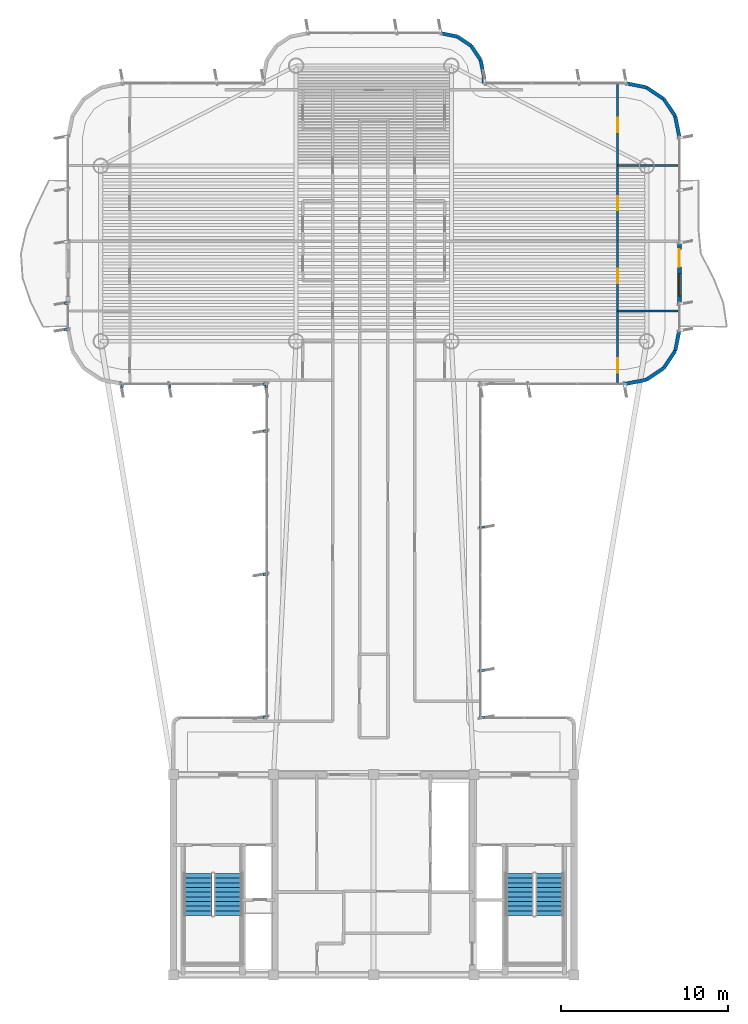
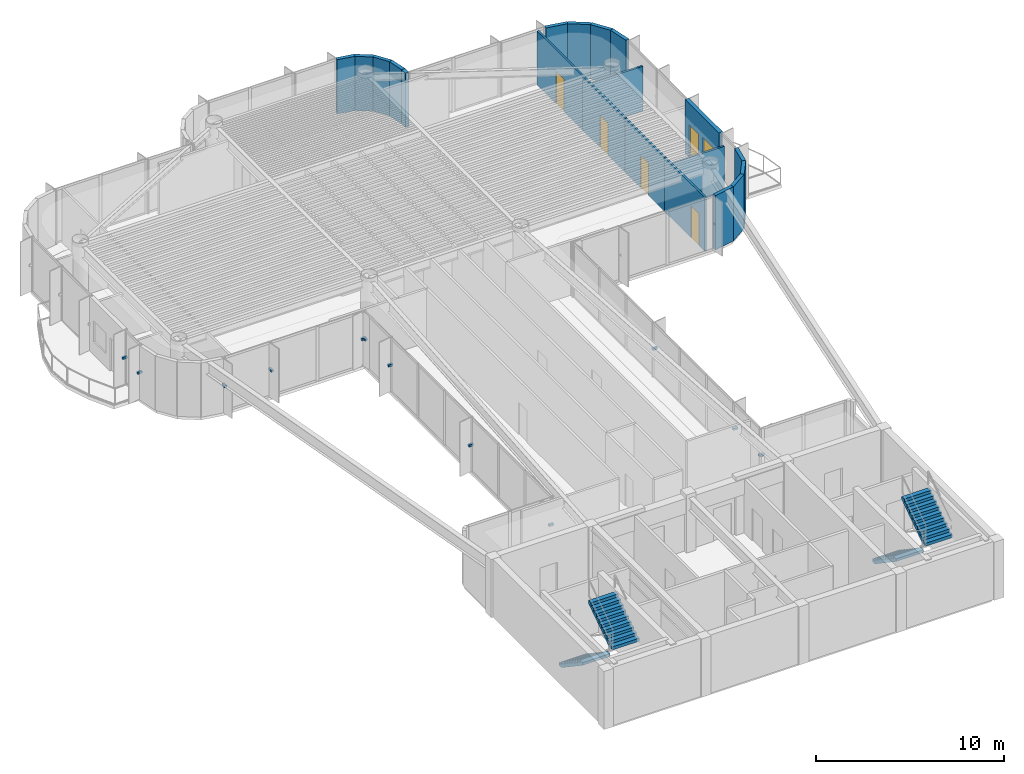
# One storey, part 13 of 16: 20 walls, 12 discrete accessories, 5 doors, 4 stair flights, 1 window, 6 openings, 2 elements without a shape of their own.
"""IFC4 building model written with IfcOpenShell, lengths in metres."""

from ifc_helpers import new_model, si_unit, direction, frame, frame_2d, origin, origin_2d, place, context, subcontext, project, spatial, polyline, rectangle, outline, extrude, source, transform, mapped, material, layer, layer_set, type_object, element, fill, aggregate, save


model = new_model("IFC4")

# Units and contexts
model_context = context("Model", 3, precision=1e-05, world=origin(), true_north=direction((0.0, 1.0)))
body_context = subcontext(model_context, "Body", "Model", "MODEL_VIEW")
ifc_project = project(units=[si_unit("LENGTHUNIT", "METRE"), si_unit("AREAUNIT", "SQUARE_METRE"), si_unit("VOLUMEUNIT", "CUBIC_METRE"), si_unit("PLANEANGLEUNIT", "RADIAN"), si_unit("MASSUNIT", "GRAM", prefix="KILO")], contexts=[model_context])

# Site, building, storey
site_placement = place(None, origin())
site = spatial("IfcSite", under=ifc_project, at=site_placement, CompositionType="ELEMENT")
building_placement = place(site_placement, origin())
building = spatial("IfcBuilding", under=site, at=building_placement, Name="Brelvock Crest Care Tower", CompositionType="ELEMENT")
storey_placement = place(building_placement, frame((0.0, 0.0, 230.580078125)))
storey = spatial("IfcBuildingStorey", under=building, at=storey_placement, Name="L58", CompositionType="ELEMENT", Elevation=230.580078125)

# Wall, openings, door, window
ifc_material_1 = material(Name="Precast concrete N40 (40 MPa)", Category="concrete")
ifc_layer_1 = layer(ifc_material_1, 0.239990234375, Name="WL-EX1")
ifc_layer_set_1 = layer_set([ifc_layer_1], Name="Precast concrete N40 (40 MPa)")
wall_type_1 = type_object("IfcWallType", Name="WL-EX1", PredefinedType="SOLIDWALL", material=ifc_layer_set_1)
wall_1_placement = place(storey_placement, frame((54.300048828125, 49.85009765625, 0.0), z_axis=(0.0, 0.0, 1.0), x_axis=(0.0, -1.0, 0.0)))
wall_1 = element("IfcWall", 1, at=wall_1_placement, inside=storey, type_object=wall_type_1, Name="L58 Exterior Spandrel Wall WL-BAL-L58-E", PredefinedType="SOLIDWALL", context=body_context, shape_type="SweptSolid", body=[
    extrude(rectangle(XDim=3.60009765625, YDim=0.239990234375, at=frame_2d((1.800048828125, 0.0))), origin(), (0.0, 0.0, 1.0), 3.530029296875),
])
opening_1_placement = place(wall_1_placement, frame((0.39990234375, 0.0, 0.0)))
opening_1 = element("IfcOpeningElement", 2, at=opening_1_placement, cuts=wall_1, Name="Opening BD-1", PredefinedType="OPENING", context=body_context, shape_type="SweptSolid", body=[
    extrude(rectangle(XDim=1.050048828125, YDim=2.14990234375, at=origin_2d()), frame((0.52490234375, 0.1298828125, 1.074951171875), z_axis=(0.0, -1.0, 0.0), x_axis=(1.0, 0.0, 0.0)), (0.0, 0.0, 1.0), 0.260009765625),
])
opening_2_placement = place(wall_1_placement, frame((1.85009765625, 0.0, 0.85009765625)))
opening_2 = element("IfcOpeningElement", 3, at=opening_2_placement, cuts=wall_1, Name="Opening W-01", PredefinedType="OPENING", context=body_context, shape_type="SweptSolid", body=[
    extrude(rectangle(XDim=1.35009765625, YDim=1.35009765625, at=origin_2d()), frame((0.675048828125, 0.1298828125, 0.675048828125), z_axis=(0.0, -1.0, 0.0), x_axis=(1.0, 0.0, 0.0)), (0.0, 0.0, 1.0), 0.260009765625),
])
ifc_material_2 = material(Name="Dark Glass Double Glazed Low-E", Category="glass")
door_type_1 = type_object("IfcDoorType", Name="DR-BAL1", OperationType="NOTDEFINED", PredefinedType="DOOR", material=ifc_material_2)
shared_shape_1 = source(origin(), body_context, "Body", "SweptSolid", [
    extrude(rectangle(XDim=1.050048828125, YDim=2.14990234375, at=origin_2d()), frame((0.52490234375, 0.02490234375, 1.074951171875), z_axis=(0.0, -1.0, 0.0), x_axis=(1.0, 0.0, 0.0)), (0.0, 0.0, 1.0), 0.050048828125),
])
door_1_placement = place(opening_1_placement, origin())
door_1 = element("IfcDoor", 4, at=door_1_placement, inside=storey, type_object=door_type_1, Name="L58 E Wave Balcony Glazed Door", OperationType="SINGLE_SWING_RIGHT", OverallHeight=2.14990234375, OverallWidth=1.050048828125, PredefinedType="DOOR", context=body_context, shape_type="MappedRepresentation", body=[
    mapped(shared_shape_1, transform((0.0, 0.0, 0.0), x_axis=(1.0, 0.0, 0.0), y_axis=(0.0, 1.0, 0.0), z_axis=(0.0, 0.0, 1.0), scale=1.0)),
])
fill(opening_1, door_1)
window_type = type_object("IfcWindowType", Name="WN-EX1", PartitioningType="SINGLE_PANEL", PredefinedType="WINDOW", material=ifc_material_2)
shared_shape_2 = source(origin(), body_context, "Body", "SweptSolid", [
    extrude(rectangle(XDim=1.35009765625, YDim=1.35009765625, at=origin_2d()), frame((0.675048828125, 0.030029296875, 0.675048828125), z_axis=(0.0, -1.0, 0.0), x_axis=(1.0, 0.0, 0.0)), (0.0, 0.0, 1.0), 0.06005859375),
])
window_placement = place(opening_2_placement, origin())
window = element("IfcWindow", 5, at=window_placement, inside=storey, type_object=window_type, Name="L58 E Suite Casement Window", OverallHeight=1.35009765625, OverallWidth=1.35009765625, PartitioningType="SINGLE_PANEL", PredefinedType="WINDOW", context=body_context, shape_type="MappedRepresentation", body=[
    mapped(shared_shape_2, transform((0.0, 0.0, 0.0), x_axis=(1.0, 0.0, 0.0), y_axis=(0.0, 1.0, 0.0), z_axis=(0.0, 0.0, 1.0), scale=1.0)),
])
fill(opening_2, window)

# Walls
ifc_layer_2 = layer(ifc_material_1, 0.215087890625, Name="WL-EX2")
ifc_layer_set_2 = layer_set([ifc_layer_2], Name="Precast concrete N40 (40 MPa)")
wall_type_2 = type_object("IfcWallType", Name="WL-EX2", PredefinedType="SOLIDWALL", material=ifc_layer_set_2)
wall_2_placement = place(storey_placement, frame((40.0, 62.39990234375, 0.0), z_axis=(0.0, 0.0, 1.0), x_axis=(0.980820570666, -0.194912821943, 0.0)))
element("IfcWall", 6, at=wall_2_placement, inside=storey, type_object=wall_type_2, Name="L58 Rounded Corner Wall 29", PredefinedType="SOLIDWALL", context=body_context, shape_type="SweptSolid", body=[
    extrude(rectangle(XDim=1.0146484375, YDim=0.215087890625, at=frame_2d((0.50732421875, 0.0))), origin(), (0.0, 0.0, 1.0), 3.530029296875),
])
wall_3_placement = place(storey_placement, frame((40.9951171875, 62.2021484375, 0.0), z_axis=(0.0, 0.0, 1.0), x_axis=(0.831346067305, -0.555755086685, 0.0)))
element("IfcWall", 7, at=wall_3_placement, inside=storey, type_object=wall_type_2, Name="L58 Rounded Corner Wall 30", PredefinedType="SOLIDWALL", context=body_context, shape_type="SweptSolid", body=[
    extrude(rectangle(XDim=1.014404296875, YDim=0.215087890625, at=frame_2d((0.50732421875, 0.0))), origin(), (0.0, 0.0, 1.0), 3.530029296875),
])
wall_4_placement = place(storey_placement, frame((41.83837890625, 61.638427734375, 0.0), z_axis=(0.0, 0.0, 1.0), x_axis=(0.555643898837, -0.831420385657, 0.0)))
element("IfcWall", 8, at=wall_4_placement, inside=storey, type_object=wall_type_2, Name="L58 Rounded Corner Wall 31", PredefinedType="SOLIDWALL", context=body_context, shape_type="SweptSolid", body=[
    extrude(rectangle(XDim=1.0146484375, YDim=0.215087890625, at=frame_2d((0.50732421875, 0.0))), origin(), (0.0, 0.0, 1.0), 3.530029296875),
])
wall_5_placement = place(storey_placement, frame((42.402099609375, 60.794921875, 0.0), z_axis=(0.0, 0.0, 1.0), x_axis=(0.195190360752, -0.980765376158, 0.0)))
element("IfcWall", 9, at=wall_5_placement, inside=storey, type_object=wall_type_2, Name="L58 Rounded Corner Wall 32", PredefinedType="SOLIDWALL", context=body_context, shape_type="SweptSolid", body=[
    extrude(rectangle(XDim=1.014404296875, YDim=0.215087890625, at=frame_2d((0.50732421875, 0.0))), origin(), (0.0, 0.0, 1.0), 3.530029296875),
])
wall_6_placement = place(storey_placement, frame((42.60009765625, 59.800048828125, 0.0), z_axis=(0.0, 0.0, 1.0), x_axis=(0.0, -1.0, 0.0)))
element("IfcWall", 10, at=wall_6_placement, inside=storey, type_object=wall_type_2, Name="L58 Rounded Corner Wall 33", PredefinedType="SOLIDWALL", context=body_context, shape_type="SweptSolid", body=[
    extrude(rectangle(XDim=0.400146484375, YDim=0.215087890625, at=frame_2d((0.2001953125, 0.0))), origin(), (0.0, 0.0, 1.0), 3.530029296875),
])
for number, where, z_axis, x_axis, name in (
    (11, (51.10009765625, 59.39990234375, 0.0), (0.0, 0.0, 1.0), (0.980813122964, -0.194950295773, 0.0), "L58 Rounded Corner Wall 35"),
    (12, (52.32470703125, 59.156494140625, 0.0), (0.0, 0.0, 1.0), (0.831387912822, -0.555692485475, 0.0), "L58 Rounded Corner Wall 36"),
    (13, (53.36279296875, 58.462646484375, 0.0), (0.0, 0.0, 1.0), (0.555557312883, -0.831478245117, 0.0), "L58 Rounded Corner Wall 37"),
    (14, (54.056396484375, 57.424560546875, 0.0), (0.0, 0.0, 1.0), (0.195138390419, -0.980775717779, 0.0), "L58 Rounded Corner Wall 38"),
    (15, (54.300048828125, 44.60009765625, 0.0), (0.0, 0.0, 1.0), (-0.195138390419, -0.980775717779, 0.0), "L58 Rounded Corner Wall 40"),
    (16, (54.056396484375, 43.37548828125, 0.0), (0.0, 0.0, 1.0), (-0.555557312883, -0.831478245117, 0.0), "L58 Rounded Corner Wall 41"),
    (17, (53.36279296875, 42.33740234375, 0.0), (0.0, 0.0, 1.0), (-0.831387912822, -0.555692485475, 0.0), "L58 Rounded Corner Wall 42"),
    (18, (52.32470703125, 41.6435546875, 0.0), (0.0, 0.0, 1.0), (-0.980775717779, -0.195138390419, 0.0), "L58 Rounded Corner Wall 43"),
):
    element("IfcWall", number, at=place(storey_placement, frame(where, z_axis=z_axis, x_axis=x_axis)), inside=storey, type_object=wall_type_2, Name=name, PredefinedType="SOLIDWALL", context=body_context, shape_type="SweptSolid", body=[
        extrude(rectangle(XDim=1.24853515625, YDim=0.215087890625, at=frame_2d((0.624267578125, 0.0))), origin(), (0.0, 0.0, 1.0), 3.530029296875),
    ])
ifc_material_3 = material(Name="Gypsum Plasterboard Partition", Category="gypsum")
ifc_layer_3 = layer(ifc_material_3, 0.1201171875, Name="WL-INT2")
ifc_layer_set_3 = layer_set([ifc_layer_3], Name="Gypsum Plasterboard Partition")
wall_type_3 = type_object("IfcWallType", Name="WL-INT2", PredefinedType="PARTITIONING", material=ifc_layer_set_3)
wall_7_placement = place(storey_placement, frame((50.610107421875, 45.77587890625, 0.0), z_axis=(0.0, 0.0, 1.0), x_axis=(1.0, 0.0, 0.0)))
element("IfcWall", 19, at=wall_7_placement, inside=storey, type_object=wall_type_3, Name="L58 Interior Wall WL-UBSP-L58-EF1", PredefinedType="PARTITIONING", context=body_context, shape_type="SweptSolid", body=[
    extrude(rectangle(XDim=3.60986328125, YDim=0.1201171875, at=frame_2d((1.804931640625, 0.0))), origin(), (0.0, 0.0, 1.0), 2.98193359375),
])
wall_8_placement = place(storey_placement, frame((50.610107421875, 54.47607421875, 0.0), z_axis=(0.0, 0.0, 1.0), x_axis=(1.0, 0.0, 0.0)))
element("IfcWall", 20, at=wall_8_placement, inside=storey, type_object=wall_type_3, Name="L58 Interior Wall WL-UBSP-L58-EF2", PredefinedType="PARTITIONING", context=body_context, shape_type="SweptSolid", body=[
    extrude(rectangle(XDim=3.60986328125, YDim=0.1201171875, at=frame_2d((1.804931640625, 0.0))), origin(), (0.0, 0.0, 1.0), 2.90283203125),
])

# Wall, opening, door
wall_9_placement = place(storey_placement, frame((50.610107421875, 41.47998046875, 0.0), z_axis=(0.0, 0.0, 1.0), x_axis=(0.0, 1.0, 0.0)))
wall_9 = element("IfcWall", 21, at=wall_9_placement, inside=storey, type_object=wall_type_3, Name="L58 Interior Wall WL-UBD1-L58-EF1", PredefinedType="PARTITIONING", context=body_context, shape_type="SweptSolid", body=[
    extrude(rectangle(XDim=4.2958984375, YDim=0.1201171875, at=frame_2d((2.14794921875, 0.0))), origin(), (0.0, 0.0, 1.0), 3.5),
])
opening_3_placement = place(wall_9_placement, frame((0.597900390625, 0.0, 0.0)))
opening_3 = element("IfcOpeningElement", 22, at=opening_3_placement, cuts=wall_9, Name="Opening ID-1", PredefinedType="OPENING", context=body_context, shape_type="SweptSolid", body=[
    extrude(rectangle(XDim=0.860107421875, YDim=2.10009765625, at=origin_2d()), frame((0.43017578125, 0.070068359375, 1.050048828125), z_axis=(0.0, -1.0, 0.0), x_axis=(1.0, 0.0, 0.0)), (0.0, 0.0, 1.0), 0.14013671875),
])
ifc_material_4 = material(Name="Engineered Hardwood Timber", Category="wood")
door_type_2 = type_object("IfcDoorType", Name="DR-INT1", OperationType="NOTDEFINED", PredefinedType="DOOR", material=ifc_material_4)
shared_shape_3 = source(origin(), body_context, "Body", "SweptSolid", [
    extrude(rectangle(XDim=0.860107421875, YDim=2.10009765625, at=origin_2d()), frame((0.43017578125, 0.02490234375, 1.050048828125), z_axis=(0.0, -1.0, 0.0), x_axis=(1.0, 0.0, 0.0)), (0.0, 0.0, 1.0), 0.050048828125),
])
door_2_placement = place(opening_3_placement, origin())
door_2 = element("IfcDoor", 23, at=door_2_placement, inside=storey, type_object=door_type_2, Name="L58 Primary Bedroom Door EF1", OperationType="SINGLE_SWING_RIGHT", OverallHeight=2.10009765625, OverallWidth=0.860107421875, PredefinedType="DOOR", context=body_context, shape_type="MappedRepresentation", body=[
    mapped(shared_shape_3, transform((0.0, 0.0, 0.0), x_axis=(1.0, 0.0, 0.0), y_axis=(0.0, 1.0, 0.0), z_axis=(0.0, 0.0, 1.0), scale=1.0)),
])
fill(opening_3, door_2)

wall_10_placement = place(storey_placement, frame((50.610107421875, 45.77587890625, 0.0), z_axis=(0.0, 0.0, 1.0), x_axis=(0.0, 1.0, 0.0)))
wall_10 = element("IfcWall", 24, at=wall_10_placement, inside=storey, type_object=wall_type_3, Name="L58 Interior Wall WL-UBD2-L58-EF1", PredefinedType="PARTITIONING", context=body_context, shape_type="SweptSolid", body=[
    extrude(rectangle(XDim=4.176025390625, YDim=0.1201171875, at=frame_2d((2.087890625, 0.0))), origin(), (0.0, 0.0, 1.0), 3.5),
])
opening_4_placement = place(wall_10_placement, frame((1.657958984375, 0.0, 0.0)))
opening_4 = element("IfcOpeningElement", 25, at=opening_4_placement, cuts=wall_10, Name="Opening ID-1", PredefinedType="OPENING", context=body_context, shape_type="SweptSolid", body=[
    extrude(rectangle(XDim=0.860107421875, YDim=2.10009765625, at=origin_2d()), frame((0.43017578125, 0.070068359375, 1.050048828125), z_axis=(0.0, -1.0, 0.0), x_axis=(1.0, 0.0, 0.0)), (0.0, 0.0, 1.0), 0.14013671875),
])
door_3_placement = place(opening_4_placement, origin())
door_3 = element("IfcDoor", 26, at=door_3_placement, inside=storey, type_object=door_type_2, Name="L58 Second Room Door EF1", OperationType="SINGLE_SWING_LEFT", OverallHeight=2.10009765625, OverallWidth=0.860107421875, PredefinedType="DOOR", context=body_context, shape_type="MappedRepresentation", body=[
    mapped(shared_shape_3, transform((0.0, 0.0, 0.0), x_axis=(1.0, 0.0, 0.0), y_axis=(0.0, 1.0, 0.0), z_axis=(0.0, 0.0, 1.0), scale=1.0)),
])
fill(opening_4, door_3)

wall_11_placement = place(storey_placement, frame((50.610107421875, 49.951904296875, 0.0), z_axis=(0.0, 0.0, 1.0), x_axis=(0.0, 1.0, 0.0)))
wall_11 = element("IfcWall", 27, at=wall_11_placement, inside=storey, type_object=wall_type_3, Name="L58 Interior Wall WL-UBD1-L58-EF2", PredefinedType="PARTITIONING", context=body_context, shape_type="SweptSolid", body=[
    extrude(rectangle(XDim=4.524169921875, YDim=0.1201171875, at=frame_2d((2.26220703125, 0.0))), origin(), (0.0, 0.0, 1.0), 3.5),
])
opening_5_placement = place(wall_11_placement, frame((1.83203125, 0.0, 0.0)))
opening_5 = element("IfcOpeningElement", 28, at=opening_5_placement, cuts=wall_11, Name="Opening ID-1", PredefinedType="OPENING", context=body_context, shape_type="SweptSolid", body=[
    extrude(rectangle(XDim=0.860107421875, YDim=2.10009765625, at=origin_2d()), frame((0.43017578125, 0.070068359375, 1.050048828125), z_axis=(0.0, -1.0, 0.0), x_axis=(1.0, 0.0, 0.0)), (0.0, 0.0, 1.0), 0.14013671875),
])
door_4_placement = place(opening_5_placement, origin())
door_4 = element("IfcDoor", 29, at=door_4_placement, inside=storey, type_object=door_type_2, Name="L58 Primary Bedroom Door EF2", OperationType="SINGLE_SWING_RIGHT", OverallHeight=2.10009765625, OverallWidth=0.860107421875, PredefinedType="DOOR", context=body_context, shape_type="MappedRepresentation", body=[
    mapped(shared_shape_3, transform((0.0, 0.0, 0.0), x_axis=(1.0, 0.0, 0.0), y_axis=(0.0, 1.0, 0.0), z_axis=(0.0, 0.0, 1.0), scale=1.0)),
])
fill(opening_5, door_4)

wall_12_placement = place(storey_placement, frame((50.610107421875, 54.47607421875, 0.0), z_axis=(0.0, 0.0, 1.0), x_axis=(0.0, 1.0, 0.0)))
wall_12 = element("IfcWall", 30, at=wall_12_placement, inside=storey, type_object=wall_type_3, Name="L58 Interior Wall WL-UBD2-L58-EF2", PredefinedType="PARTITIONING", context=body_context, shape_type="SweptSolid", body=[
    extrude(rectangle(XDim=4.84423828125, YDim=0.1201171875, at=frame_2d((2.422119140625, 0.0))), origin(), (0.0, 0.0, 1.0), 3.5),
])
opening_6_placement = place(wall_12_placement, frame((1.991943359375, 0.0, 0.0)))
opening_6 = element("IfcOpeningElement", 31, at=opening_6_placement, cuts=wall_12, Name="Opening ID-1", PredefinedType="OPENING", context=body_context, shape_type="SweptSolid", body=[
    extrude(rectangle(XDim=0.860107421875, YDim=2.10009765625, at=origin_2d()), frame((0.43017578125, 0.070068359375, 1.050048828125), z_axis=(0.0, -1.0, 0.0), x_axis=(1.0, 0.0, 0.0)), (0.0, 0.0, 1.0), 0.14013671875),
])
door_5_placement = place(opening_6_placement, origin())
door_5 = element("IfcDoor", 32, at=door_5_placement, inside=storey, type_object=door_type_2, Name="L58 Second Room Door EF2", OperationType="SINGLE_SWING_LEFT", OverallHeight=2.10009765625, OverallWidth=0.860107421875, PredefinedType="DOOR", context=body_context, shape_type="MappedRepresentation", body=[
    mapped(shared_shape_3, transform((0.0, 0.0, 0.0), x_axis=(1.0, 0.0, 0.0), y_axis=(0.0, 1.0, 0.0), z_axis=(0.0, 0.0, 1.0), scale=1.0)),
])
fill(opening_6, door_5)

# Stair, stair flights
ifc_material_5 = material(Name="Concrete N40 (40 MPa)", Category="concrete")
stair_type = type_object("IfcStairType", Name="ST-CORE1", PredefinedType="HALF_TURN_STAIR", material=ifc_material_5)
stair_1_placement = place(storey_placement, origin())
stair_1 = element("IfcStair", 33, at=stair_1_placement, inside=storey, type_object=stair_type, Name="L58 Fire-Isolated Core Stair ST-1", PredefinedType="HALF_TURN_STAIR")
stair_flight_type = type_object("IfcStairFlightType", Name="STF-1", PredefinedType="STRAIGHT", material=ifc_material_5)
stair_flight_1_placement = place(storey_placement, frame((25.469970703125, 12.080078125, 0.0), z_axis=(0.0, 0.0, 1.0), x_axis=(0.0, -1.0, 0.0)))
stair_flight_1 = element("IfcStairFlight", 34, at=stair_flight_1_placement, type_object=stair_flight_type, Name="ST-1 flight 1", NumberOfRisers=10, NumberOfTreads=9, PredefinedType="STRAIGHT", RiserHeight=0.189, TreadLength=0.28, context=body_context, shape_type="SweptSolid", body=[
    extrude(outline(polyline([(-0.00390625, -0.014892578125), (-0.00390625, -0.0078125), (-0.00390625, -0.00048828125), (-0.00390625, 0.0068359375), (-0.00390625, 0.01416015625), (-0.00390625, 0.021484375), (-0.00390625, 0.02880859375), (-0.00390625, 0.035888671875), (-0.00390625, 0.043212890625), (-0.00390625, 0.050537109375), (-0.00390625, 0.057861328125), (-0.00390625, 0.065185546875), (-0.00390625, 0.072509765625), (-0.00390625, 0.07958984375), (-0.00390625, 0.0869140625), (-0.00390625, 0.09423828125), (-0.00390625, 0.1015625), (-0.00390625, 0.10888671875), (-0.00390625, 0.1162109375), (-0.00390625, 0.12353515625), (-0.00390625, 0.130615234375), (-0.00390625, 0.137939453125), (-0.00390625, 0.145263671875), (-0.00390625, 0.152587890625), (-0.00390625, 0.159912109375), (-0.00390625, 0.167236328125), (-0.00390625, 0.17431640625), (-0.00390625, 0.181640625), (-0.00390625, 0.18896484375), (0.0, 0.18896484375), (0.280029296875, 0.18896484375), (0.280029296875, 0.3779296875), (0.56005859375, 0.3779296875), (0.56005859375, 0.56689453125), (0.840087890625, 0.56689453125), (0.840087890625, 0.756103515625), (1.1201171875, 0.756103515625), (1.1201171875, 0.945068359375), (1.39990234375, 0.945068359375), (1.39990234375, 1.134033203125), (1.679931640625, 1.134033203125), (1.679931640625, 1.322998046875), (1.9599609375, 1.322998046875), (1.9599609375, 1.511962890625), (2.239990234375, 1.511962890625), (2.239990234375, 1.700927734375), (2.52001953125, 1.700927734375), (2.52392578125, 1.700927734375), (2.523681640625, 1.70068359375), (2.52392578125, 1.700439453125), (2.523681640625, 1.699951171875), (2.52392578125, 1.69970703125), (2.523681640625, 1.699462890625), (2.52392578125, 1.698974609375), (2.523681640625, 1.69873046875), (2.52392578125, 1.698486328125), (2.523681640625, 1.697998046875), (2.52392578125, 1.69775390625), (2.523681640625, 1.697509765625), (2.52392578125, 1.697021484375), (2.523681640625, 1.69677734375), (2.52392578125, 1.696533203125), (2.523681640625, 1.6962890625), (2.52392578125, 1.69580078125), (2.523681640625, 1.695556640625), (2.52392578125, 1.6953125), (2.523681640625, 1.69482421875), (2.52392578125, 1.694580078125), (2.523681640625, 1.6943359375), (2.52392578125, 1.69384765625), (2.523681640625, 1.693603515625), (2.52392578125, 1.693359375), (2.523681640625, 1.69287109375), (2.52392578125, 1.692626953125), (2.523681640625, 1.6923828125), (2.52392578125, 1.69189453125), (2.52001953125, 1.520263671875), (0.267822265625, 0.0), (0.0, 0.0), (0.0, -0.014892578125), (-0.00390625, -0.014892578125)])), frame((0.0, 0.83984375, 0.0), z_axis=(0.0, -1.0, 0.0), x_axis=(1.0, 0.0, 0.0)), (0.0, 0.0, 1.0), 1.679931640625),
])
stair_flight_2_placement = place(storey_placement, frame((27.27001953125, 9.56005859375, 1.889892578125), z_axis=(0.0, 0.0, 1.0), x_axis=(0.0, 1.0, 0.0)))
stair_flight_2 = element("IfcStairFlight", 35, at=stair_flight_2_placement, type_object=stair_flight_type, Name="ST-1 flight 2", NumberOfRisers=10, NumberOfTreads=9, PredefinedType="STRAIGHT", RiserHeight=0.189, TreadLength=0.28, context=body_context, shape_type="SweptSolid", body=[
    extrude(outline(polyline([(-0.00390625, -0.014892578125), (-0.00390625, -0.0078125), (-0.00390625, -0.00048828125), (-0.00390625, 0.0068359375), (-0.00390625, 0.01416015625), (-0.00390625, 0.021484375), (-0.00390625, 0.02880859375), (-0.00390625, 0.035888671875), (-0.00390625, 0.043212890625), (-0.00390625, 0.050537109375), (-0.00390625, 0.057861328125), (-0.00390625, 0.065185546875), (-0.00390625, 0.072509765625), (-0.00390625, 0.07958984375), (-0.00390625, 0.0869140625), (-0.00390625, 0.09423828125), (-0.00390625, 0.1015625), (-0.00390625, 0.10888671875), (-0.00390625, 0.1162109375), (-0.00390625, 0.12353515625), (-0.00390625, 0.130615234375), (-0.00390625, 0.137939453125), (-0.00390625, 0.145263671875), (-0.00390625, 0.152587890625), (-0.00390625, 0.159912109375), (-0.00390625, 0.167236328125), (-0.00390625, 0.17431640625), (-0.00390625, 0.181640625), (-0.00390625, 0.18896484375), (0.0, 0.18896484375), (0.280029296875, 0.18896484375), (0.280029296875, 0.3779296875), (0.56005859375, 0.3779296875), (0.56005859375, 0.56689453125), (0.840087890625, 0.56689453125), (0.840087890625, 0.756103515625), (1.1201171875, 0.756103515625), (1.1201171875, 0.945068359375), (1.39990234375, 0.945068359375), (1.39990234375, 1.134033203125), (1.679931640625, 1.134033203125), (1.679931640625, 1.322998046875), (1.9599609375, 1.322998046875), (1.9599609375, 1.511962890625), (2.239990234375, 1.511962890625), (2.239990234375, 1.700927734375), (2.52001953125, 1.700927734375), (2.52392578125, 1.700927734375), (2.523681640625, 1.70068359375), (2.52392578125, 1.700439453125), (2.523681640625, 1.699951171875), (2.52392578125, 1.69970703125), (2.523681640625, 1.699462890625), (2.52392578125, 1.698974609375), (2.523681640625, 1.69873046875), (2.52392578125, 1.698486328125), (2.523681640625, 1.697998046875), (2.52392578125, 1.69775390625), (2.523681640625, 1.697509765625), (2.52392578125, 1.697021484375), (2.523681640625, 1.69677734375), (2.52392578125, 1.696533203125), (2.523681640625, 1.6962890625), (2.52392578125, 1.69580078125), (2.523681640625, 1.695556640625), (2.52392578125, 1.6953125), (2.523681640625, 1.69482421875), (2.52392578125, 1.694580078125), (2.523681640625, 1.6943359375), (2.52392578125, 1.69384765625), (2.523681640625, 1.693603515625), (2.52392578125, 1.693359375), (2.523681640625, 1.69287109375), (2.52392578125, 1.692626953125), (2.523681640625, 1.6923828125), (2.52392578125, 1.69189453125), (2.52001953125, 1.520263671875), (0.267822265625, 0.0), (0.0, 0.0), (0.0, -0.014892578125), (-0.00390625, -0.014892578125)])), frame((0.0, 0.83984375, 0.0), z_axis=(0.0, -1.0, 0.0), x_axis=(1.0, 0.0, 0.0)), (0.0, 0.0, 1.0), 1.679931640625),
])
aggregate(stair_1, [stair_flight_1, stair_flight_2])

stair_2_placement = place(storey_placement, origin())
stair_2 = element("IfcStair", 36, at=stair_2_placement, inside=storey, type_object=stair_type, Name="L58 Fire-Isolated Core Stair ST-2", PredefinedType="HALF_TURN_STAIR")
stair_flight_3_placement = place(storey_placement, frame((44.72998046875, 12.080078125, 0.0), z_axis=(0.0, 0.0, 1.0), x_axis=(0.0, -1.0, 0.0)))
stair_flight_3 = element("IfcStairFlight", 37, at=stair_flight_3_placement, type_object=stair_flight_type, Name="ST-2 flight 1", NumberOfRisers=10, NumberOfTreads=9, PredefinedType="STRAIGHT", RiserHeight=0.189, TreadLength=0.28, context=body_context, shape_type="SweptSolid", body=[
    extrude(outline(polyline([(-0.00390625, -0.014892578125), (-0.00390625, -0.0078125), (-0.00390625, -0.00048828125), (-0.00390625, 0.0068359375), (-0.00390625, 0.01416015625), (-0.00390625, 0.021484375), (-0.00390625, 0.02880859375), (-0.00390625, 0.035888671875), (-0.00390625, 0.043212890625), (-0.00390625, 0.050537109375), (-0.00390625, 0.057861328125), (-0.00390625, 0.065185546875), (-0.00390625, 0.072509765625), (-0.00390625, 0.07958984375), (-0.00390625, 0.0869140625), (-0.00390625, 0.09423828125), (-0.00390625, 0.1015625), (-0.00390625, 0.10888671875), (-0.00390625, 0.1162109375), (-0.00390625, 0.12353515625), (-0.00390625, 0.130615234375), (-0.00390625, 0.137939453125), (-0.00390625, 0.145263671875), (-0.00390625, 0.152587890625), (-0.00390625, 0.159912109375), (-0.00390625, 0.167236328125), (-0.00390625, 0.17431640625), (-0.00390625, 0.181640625), (-0.00390625, 0.18896484375), (0.0, 0.18896484375), (0.280029296875, 0.18896484375), (0.280029296875, 0.3779296875), (0.56005859375, 0.3779296875), (0.56005859375, 0.56689453125), (0.840087890625, 0.56689453125), (0.840087890625, 0.756103515625), (1.1201171875, 0.756103515625), (1.1201171875, 0.945068359375), (1.39990234375, 0.945068359375), (1.39990234375, 1.134033203125), (1.679931640625, 1.134033203125), (1.679931640625, 1.322998046875), (1.9599609375, 1.322998046875), (1.9599609375, 1.511962890625), (2.239990234375, 1.511962890625), (2.239990234375, 1.700927734375), (2.52001953125, 1.700927734375), (2.52392578125, 1.700927734375), (2.523681640625, 1.70068359375), (2.52392578125, 1.700439453125), (2.523681640625, 1.699951171875), (2.52392578125, 1.69970703125), (2.523681640625, 1.699462890625), (2.52392578125, 1.698974609375), (2.523681640625, 1.69873046875), (2.52392578125, 1.698486328125), (2.523681640625, 1.697998046875), (2.52392578125, 1.69775390625), (2.523681640625, 1.697509765625), (2.52392578125, 1.697021484375), (2.523681640625, 1.69677734375), (2.52392578125, 1.696533203125), (2.523681640625, 1.6962890625), (2.52392578125, 1.69580078125), (2.523681640625, 1.695556640625), (2.52392578125, 1.6953125), (2.523681640625, 1.69482421875), (2.52392578125, 1.694580078125), (2.523681640625, 1.6943359375), (2.52392578125, 1.69384765625), (2.523681640625, 1.693603515625), (2.52392578125, 1.693359375), (2.523681640625, 1.69287109375), (2.52392578125, 1.692626953125), (2.523681640625, 1.6923828125), (2.52392578125, 1.69189453125), (2.52001953125, 1.520263671875), (0.267822265625, 0.0), (0.0, 0.0), (0.0, -0.014892578125), (-0.00390625, -0.014892578125)])), frame((0.0, 0.83984375, 0.0), z_axis=(0.0, -1.0, 0.0), x_axis=(1.0, 0.0, 0.0)), (0.0, 0.0, 1.0), 1.679931640625),
])
stair_flight_4_placement = place(storey_placement, frame((46.530029296875, 9.56005859375, 1.889892578125), z_axis=(0.0, 0.0, 1.0), x_axis=(0.0, 1.0, 0.0)))
stair_flight_4 = element("IfcStairFlight", 38, at=stair_flight_4_placement, type_object=stair_flight_type, Name="ST-2 flight 2", NumberOfRisers=10, NumberOfTreads=9, PredefinedType="STRAIGHT", RiserHeight=0.189, TreadLength=0.28, context=body_context, shape_type="SweptSolid", body=[
    extrude(outline(polyline([(-0.00390625, -0.014892578125), (-0.00390625, -0.0078125), (-0.00390625, -0.00048828125), (-0.00390625, 0.0068359375), (-0.00390625, 0.01416015625), (-0.00390625, 0.021484375), (-0.00390625, 0.02880859375), (-0.00390625, 0.035888671875), (-0.00390625, 0.043212890625), (-0.00390625, 0.050537109375), (-0.00390625, 0.057861328125), (-0.00390625, 0.065185546875), (-0.00390625, 0.072509765625), (-0.00390625, 0.07958984375), (-0.00390625, 0.0869140625), (-0.00390625, 0.09423828125), (-0.00390625, 0.1015625), (-0.00390625, 0.10888671875), (-0.00390625, 0.1162109375), (-0.00390625, 0.12353515625), (-0.00390625, 0.130615234375), (-0.00390625, 0.137939453125), (-0.00390625, 0.145263671875), (-0.00390625, 0.152587890625), (-0.00390625, 0.159912109375), (-0.00390625, 0.167236328125), (-0.00390625, 0.17431640625), (-0.00390625, 0.181640625), (-0.00390625, 0.18896484375), (0.0, 0.18896484375), (0.280029296875, 0.18896484375), (0.280029296875, 0.3779296875), (0.56005859375, 0.3779296875), (0.56005859375, 0.56689453125), (0.840087890625, 0.56689453125), (0.840087890625, 0.756103515625), (1.1201171875, 0.756103515625), (1.1201171875, 0.945068359375), (1.39990234375, 0.945068359375), (1.39990234375, 1.134033203125), (1.679931640625, 1.134033203125), (1.679931640625, 1.322998046875), (1.9599609375, 1.322998046875), (1.9599609375, 1.511962890625), (2.239990234375, 1.511962890625), (2.239990234375, 1.700927734375), (2.52001953125, 1.700927734375), (2.52392578125, 1.700927734375), (2.523681640625, 1.70068359375), (2.52392578125, 1.700439453125), (2.523681640625, 1.699951171875), (2.52392578125, 1.69970703125), (2.523681640625, 1.699462890625), (2.52392578125, 1.698974609375), (2.523681640625, 1.69873046875), (2.52392578125, 1.698486328125), (2.523681640625, 1.697998046875), (2.52392578125, 1.69775390625), (2.523681640625, 1.697509765625), (2.52392578125, 1.697021484375), (2.523681640625, 1.69677734375), (2.52392578125, 1.696533203125), (2.523681640625, 1.6962890625), (2.52392578125, 1.69580078125), (2.523681640625, 1.695556640625), (2.52392578125, 1.6953125), (2.523681640625, 1.69482421875), (2.52392578125, 1.694580078125), (2.523681640625, 1.6943359375), (2.52392578125, 1.69384765625), (2.523681640625, 1.693603515625), (2.52392578125, 1.693359375), (2.523681640625, 1.69287109375), (2.52392578125, 1.692626953125), (2.523681640625, 1.6923828125), (2.52392578125, 1.69189453125), (2.52001953125, 1.520263671875), (0.267822265625, 0.0), (0.0, 0.0), (0.0, -0.014892578125), (-0.00390625, -0.014892578125)])), frame((0.0, 0.83984375, 0.0), z_axis=(0.0, -1.0, 0.0), x_axis=(1.0, 0.0, 0.0)), (0.0, 0.0, 1.0), 1.679931640625),
])
aggregate(stair_2, [stair_flight_3, stair_flight_4])

# Discrete accessories
ifc_material_6 = material(Name="Steel Grade 350", Category="steel")
discrete_accessory_type = type_object("IfcDiscreteAccessoryType", Name="ACC-BRK1", PredefinedType="BRACKET", material=ifc_material_6)
shared_shape_4 = source(origin(), body_context, "Body", "SweptSolid", [
    extrude(rectangle(XDim=0.280029296875, YDim=0.139892578125, at=origin_2d()), origin(), (0.0, 0.0, 1.0), 0.139892578125),
])
for number, where, z_axis, x_axis, name in (
    (39, (29.52001953125, 21.429931640625, 1.69482421875), (0.0, 0.0, 1.0), (-1.0, 0.0, 0.0), "L58 Facade Fin Bracket E11-01"),
    (40, (29.52001953125, 29.971435546875, 1.69482421875), (0.0, 0.0, 1.0), (-1.0, 0.0, 0.0), "L58 Facade Fin Bracket E11-04"),
    (41, (29.52001953125, 38.54296875, 1.69482421875), (0.0, 0.0, 1.0), (-1.0, 0.0, 0.0), "L58 Facade Fin Bracket E11-07"),
    (42, (29.52001953125, 41.3701171875, 1.69482421875), (0.0, 0.0, 1.0), (-1.0, 0.0, 0.0), "L58 Facade Fin Bracket E11-08"),
    (43, (29.570068359375, 41.320068359375, 1.69482421875), (0.0, 0.0, 1.0), (0.0, -1.0, 0.0), "L58 Facade Fin Bracket E12-01"),
    (44, (23.800048828125, 41.320068359375, 1.69482421875), (0.0, 0.0, 1.0), (0.0, -1.0, 0.0), "L58 Facade Fin Bracket E12-03"),
    (45, (20.929931640625, 41.320068359375, 1.69482421875), (0.0, 0.0, 1.0), (0.0, -1.0, 0.0), "L58 Facade Fin Bracket E12-04"),
    (46, (17.6201171875, 44.6298828125, 1.69482421875), (0.0, 0.0, 1.0), (-1.0, 0.0, 0.0), "L58 Facade Fin Bracket E17A-01"),
    (47, (17.6201171875, 46.219970703125, 1.69482421875), (0.0, 0.0, 1.0), (-1.0, 0.0, 0.0), "L58 Facade Fin Bracket E17A-02"),
    (48, (42.47998046875, 32.82861328125, 1.69482421875), (0.0, 0.0, 1.0), (1.0, 0.0, 0.0), "L58 Facade Fin Bracket E45-04"),
    (49, (42.47998046875, 24.257080078125, 1.69482421875), (0.0, 0.0, 1.0), (1.0, 0.0, 0.0), "L58 Facade Fin Bracket E45-07"),
    (50, (42.47998046875, 21.429931640625, 1.69482421875), (0.0, 0.0, 1.0), (1.0, 0.0, 0.0), "L58 Facade Fin Bracket E45-08"),
):
    element("IfcDiscreteAccessory", number, at=place(storey_placement, frame(where, z_axis=z_axis, x_axis=x_axis)), inside=storey, type_object=discrete_accessory_type, Name=name, PredefinedType="BRACKET", context=body_context, shape_type="MappedRepresentation", body=[
        mapped(shared_shape_4, transform((0.0, 0.0, 0.0), x_axis=(1.0, 0.0, 0.0), y_axis=(0.0, 1.0, 0.0), z_axis=(0.0, 0.0, 1.0), scale=1.0)),
    ])

save(model, "model.ifc")
